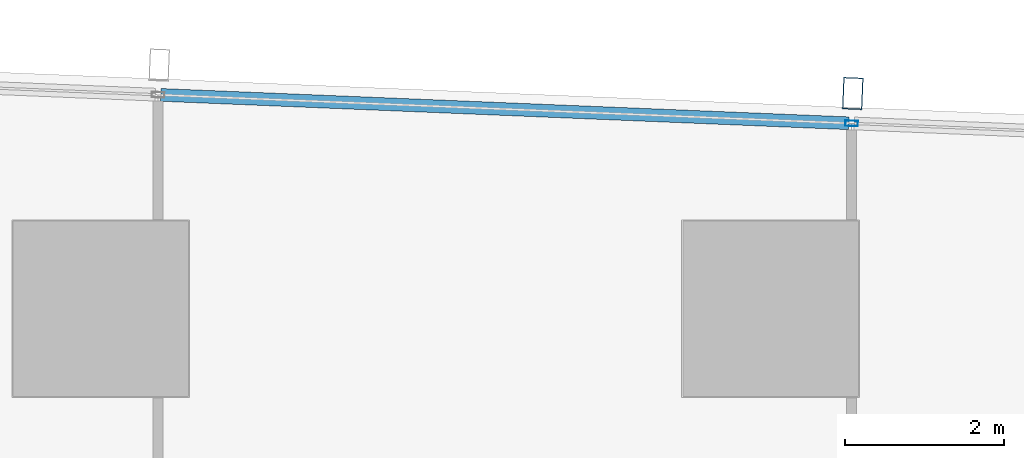
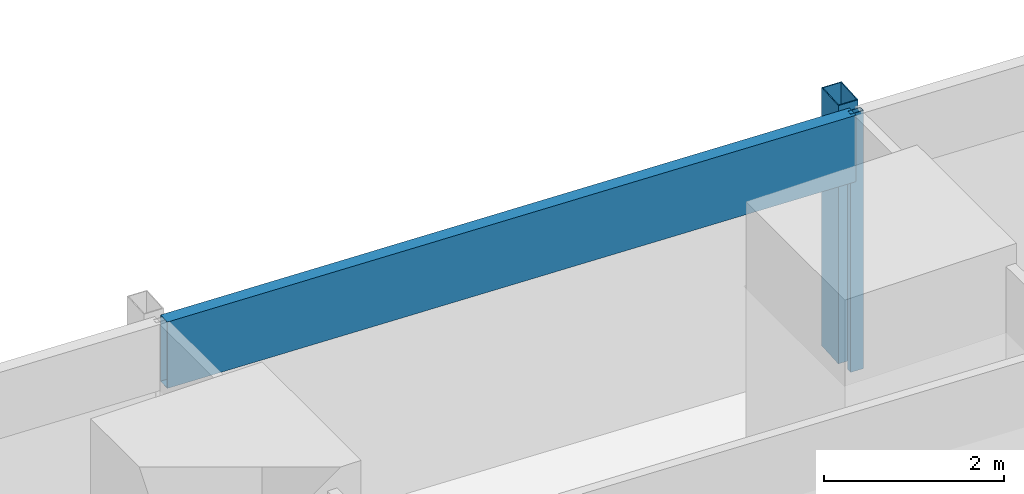
# One storey, part 22 of 44: 3 members, 1 element without a shape of its own.
"""IFC4 building model written with IfcOpenShell, lengths in metres."""

from ifc_helpers import new_model, si_unit, direction, frame, origin, origin_2d, place, context, subcontext, project, spatial, hollow_rectangle, extrude, material, material_profile, profile_set, type_object, element, aggregate, save


model = new_model("IFC4")

# Units and contexts
model_context = context("Model", 3, precision=1e-05, world=origin(), true_north=direction((0.0, 1.0)))
body_context = subcontext(model_context, "Body", "Model", "MODEL_VIEW")
ifc_project = project(units=[si_unit("LENGTHUNIT", "METRE"), si_unit("AREAUNIT", "SQUARE_METRE"), si_unit("VOLUMEUNIT", "CUBIC_METRE"), si_unit("PLANEANGLEUNIT", "RADIAN"), si_unit("MASSUNIT", "GRAM", prefix="KILO")], contexts=[model_context])

# Site, building, storey
site_placement = place(None, origin())
site = spatial("IfcSite", under=ifc_project, at=site_placement, CompositionType="ELEMENT")
building_placement = place(site_placement, origin())
building = spatial("IfcBuilding", under=site, at=building_placement, Name="Rekha Terrace Tower", CompositionType="ELEMENT")
storey_placement = place(building_placement, frame((0.0, 0.0, 59.14990234375)))
storey = spatial("IfcBuildingStorey", under=building, at=storey_placement, Name="L14", CompositionType="ELEMENT", Elevation=59.14990234375)

# Curtain wall, members
ifc_material_1 = material(Name="Aluminium framing", Category="aluminium")
curtain_wall_type = type_object("IfcCurtainWallType", Name="CW3 north unitised glazing", PredefinedType="USERDEFINED", material=ifc_material_1)
curtain_wall_placement = place(storey_placement, origin())
curtain_wall = element("IfcCurtainWall", 1, at=curtain_wall_placement, inside=storey, type_object=curtain_wall_type, Name="CW3 unitised curtain wall", ObjectType="UNITISED CURTAIN WALL", PredefinedType="USERDEFINED")
ifc_material_2 = material(Name="Steel S355 with fluorocarbon finish", Category="steel")
ifc_material_profile_1 = material_profile(ifc_material_2, hollow_rectangle(XDim=0.25, YDim=0.39990234375, WallThickness=0.012451171875, at=origin_2d()), Name="RHS400x250x12.5")
ifc_profile_set_1 = profile_set([ifc_material_profile_1], Name="Steel S355 with fluorocarbon finish")
member_type_1 = type_object("IfcMemberType", Name="BL1 facade blade RHS 400 x 250", PredefinedType="USERDEFINED", material=ifc_profile_set_1)
member_1_placement = place(storey_placement, frame((51.430419921875, 61.499267578125, 0.0), z_axis=(0.0, 0.0, 1.0), x_axis=(-0.99915196507, 0.041174636562, 0.0)))
member_1 = element("IfcMember", 2, at=member_1_placement, type_object=member_type_1, Name="Facade blade", ObjectType="FACADE BLADE", PredefinedType="USERDEFINED", context=body_context, shape_type="SweptSolid", body=[
    extrude(hollow_rectangle(XDim=0.25, YDim=0.39990234375, WallThickness=0.012451171875, at=origin_2d()), origin(), (0.0, 0.0, 1.0), 3.5),
])
ifc_material_3 = material(Name="Aluminium mullion section", Category="aluminium")
ifc_material_profile_2 = material_profile(ifc_material_3, hollow_rectangle(XDim=0.070068359375, YDim=0.159912109375, WallThickness=0.00390625, at=origin_2d()), Name="AL RHS 70x160")
ifc_profile_set_2 = profile_set([ifc_material_profile_2], Name="Aluminium mullion section")
member_type_2 = type_object("IfcMemberType", Name="CW3 mullion RHS 70 x 160", PredefinedType="MULLION", material=ifc_profile_set_2)
member_2_placement = place(storey_placement, frame((51.4150390625, 61.12451171875, 0.0), z_axis=(0.0, 0.0, 1.0), x_axis=(-0.041173846041, -0.999151997647, 0.0)))
member_2 = element("IfcMember", 3, at=member_2_placement, type_object=member_type_2, Name="CW3 mullion 3", PredefinedType="MULLION", context=body_context, shape_type="SweptSolid", body=[
    extrude(hollow_rectangle(XDim=0.070068359375, YDim=0.159912109375, WallThickness=0.00390625, at=origin_2d()), origin(), (0.0, 0.0, 1.0), 3.5),
])
ifc_material_4 = material(Name="Insulated aluminium spandrel box", Category="aluminium")
ifc_material_profile_3 = material_profile(ifc_material_4, hollow_rectangle(XDim=0.159912109375, YDim=0.89990234375, WallThickness=0.0029296875, at=origin_2d()), Name="AL SPANDREL BOX 160x900")
ifc_profile_set_3 = profile_set([ifc_material_profile_3], Name="Insulated aluminium spandrel box")
member_type_3 = type_object("IfcMemberType", Name="CW3 spandrel transom 160 x 900", PredefinedType="USERDEFINED", material=ifc_profile_set_3)
member_3_placement = place(storey_placement, frame((51.380126953125, 61.1259765625, 3.050048828125), z_axis=(-0.999152128669, 0.041170666459, 0.0), x_axis=(-0.041170666459, -0.999152128669, 0.0)))
member_3 = element("IfcMember", 4, at=member_3_placement, type_object=member_type_3, Name="CW3 spandrel transom 3", ObjectType="TRANSOM", PredefinedType="USERDEFINED", context=body_context, shape_type="SweptSolid", body=[
    extrude(hollow_rectangle(XDim=0.159912109375, YDim=0.89990234375, WallThickness=0.0029296875, at=origin_2d()), origin(), (0.0, 0.0, 1.0), 8.634033203125),
])
aggregate(curtain_wall, [member_2, member_3, member_1])

save(model, "model.ifc")
